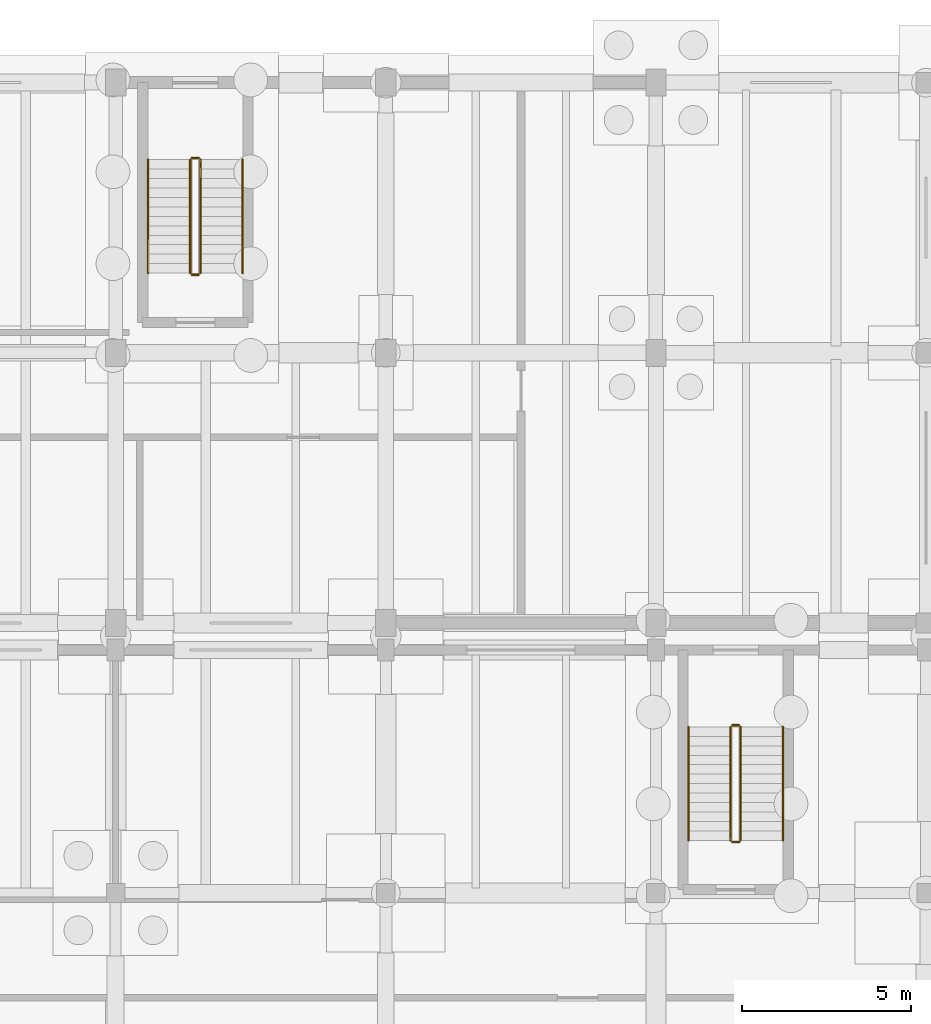
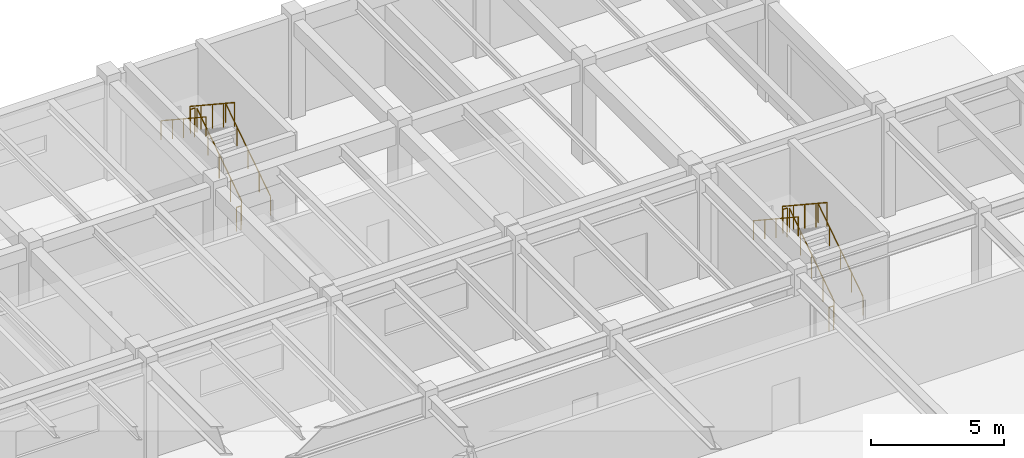
# One storey, part 62 of 64: 12 railings.
"""IFC4 building model written with IfcOpenShell, lengths in metres."""

from ifc_helpers import new_model, si_unit, direction, frame, origin, origin_2d, place, context, subcontext, project, spatial, circle, extrude, material, type_object, element, save


model = new_model("IFC4")

# Units and contexts
model_context = context("Model", 3, precision=1e-05, world=origin(), true_north=direction((0.0, 1.0)))
body_context = subcontext(model_context, "Body", "Model", "MODEL_VIEW")
ifc_project = project(units=[si_unit("LENGTHUNIT", "METRE"), si_unit("AREAUNIT", "SQUARE_METRE"), si_unit("VOLUMEUNIT", "CUBIC_METRE"), si_unit("PLANEANGLEUNIT", "RADIAN"), si_unit("MASSUNIT", "GRAM", prefix="KILO")], contexts=[model_context])

# Site, building, storey
site_placement = place(None, origin())
site = spatial("IfcSite", under=ifc_project, at=site_placement, CompositionType="ELEMENT")
building_placement = place(site_placement, origin())
building = spatial("IfcBuilding", under=site, at=building_placement, Name="Tlaxcora Railside Police Headquarters", CompositionType="ELEMENT")
storey_placement = place(building_placement, origin())
storey = spatial("IfcBuildingStorey", under=building, at=storey_placement, Name="L00", CompositionType="ELEMENT", Elevation=0.0)

# Railings
ifc_material = material(Name="Steel ASTM A992 Grade 50", Category="steel")
railing_type_1 = type_object("IfcRailingType", Name="Stair Well Guard Balustrade GR-02", PredefinedType="BALUSTRADE", material=ifc_material)
railing_1_placement = place(storey_placement, frame((137.31005859375, 46.360107421875, 0.1845703125)))
element("IfcRailing", 1, at=railing_1_placement, inside=storey, type_object=railing_type_1, Name="L00 ST11 stair guard 1", PredefinedType="BALUSTRADE", context=body_context, shape_type="SweptSolid", body=[
    extrude(circle(Radius=0.02392578125, at=origin_2d()), frame((0.0, 0.0, 1.09619140625), z_axis=(0.0, 0.834858096282, 0.550465220583), x_axis=(-1.0, 0.0, 0.0)), (0.0, 0.0, 1.0), 4.0244140625),
    extrude(circle(Radius=0.02099609375, at=origin_2d()), origin(), (0.0, 0.0, 1.0), 1.072021484375),
    extrude(circle(Radius=0.02099609375, at=origin_2d()), frame((0.0, 0.83984375, 0.5537109375)), (0.0, 0.0, 1.0), 1.072021484375),
    extrude(circle(Radius=0.02099609375, at=origin_2d()), frame((0.0, 1.679931640625, 1.107666015625)), (0.0, 0.0, 1.0), 1.072021484375),
    extrude(circle(Radius=0.02099609375, at=origin_2d()), frame((0.0, 2.52001953125, 1.66162109375)), (0.0, 0.0, 1.0), 1.072021484375),
    extrude(circle(Radius=0.02099609375, at=origin_2d()), frame((0.0, 3.35986328125, 2.21533203125)), (0.0, 0.0, 1.0), 1.072021484375),
])
railing_2_placement = place(storey_placement, frame((137.260009765625, 49.77001953125, 2.39990234375)))
element("IfcRailing", 2, at=railing_2_placement, inside=storey, type_object=railing_type_1, Name="L00 ST11 stair guard 2", PredefinedType="BALUSTRADE", context=body_context, shape_type="SweptSolid", body=[
    extrude(circle(Radius=0.02392578125, at=origin_2d()), frame((0.0, 0.0, 1.09619140625), z_axis=(-1.0, 0.0, 0.0), x_axis=(0.0, -1.0, 0.0)), (0.0, 0.0, 1.0), 0.199951171875),
    extrude(circle(Radius=0.02099609375, at=origin_2d()), origin(), (0.0, 0.0, 1.0), 1.072021484375),
    extrude(circle(Radius=0.02099609375, at=origin_2d()), frame((-0.199951171875, 0.0, 0.0)), (0.0, 0.0, 1.0), 1.072021484375),
])
railing_3_placement = place(storey_placement, frame((137.010009765625, 49.719970703125, 2.584716796875)))
element("IfcRailing", 3, at=railing_3_placement, inside=storey, type_object=railing_type_1, Name="L00 ST11 stair guard 3", PredefinedType="BALUSTRADE", context=body_context, shape_type="SweptSolid", body=[
    extrude(circle(Radius=0.02392578125, at=origin_2d()), frame((0.0, 0.0, 1.09619140625), z_axis=(0.0, -0.834858096282, 0.550465220583), x_axis=(1.0, 0.0, 0.0)), (0.0, 0.0, 1.0), 4.0244140625),
    extrude(circle(Radius=0.02099609375, at=origin_2d()), origin(), (0.0, 0.0, 1.0), 1.072021484375),
    extrude(circle(Radius=0.02099609375, at=origin_2d()), frame((0.0, -0.83984375, 0.5537109375)), (0.0, 0.0, 1.0), 1.072021484375),
    extrude(circle(Radius=0.02099609375, at=origin_2d()), frame((0.0, -1.679931640625, 1.107666015625)), (0.0, 0.0, 1.0), 1.072021484375),
    extrude(circle(Radius=0.02099609375, at=origin_2d()), frame((0.0, -2.52001953125, 1.66162109375)), (0.0, 0.0, 1.0), 1.072021484375),
    extrude(circle(Radius=0.02099609375, at=origin_2d()), frame((0.0, -3.35986328125, 2.21533203125)), (0.0, 0.0, 1.0), 1.072021484375),
])
railing_4_placement = place(storey_placement, frame((137.260009765625, 46.31005859375, 0.0)))
element("IfcRailing", 4, at=railing_4_placement, inside=storey, type_object=railing_type_1, Name="L00 ST11 stair guard 4", PredefinedType="BALUSTRADE", context=body_context, shape_type="SweptSolid", body=[
    extrude(circle(Radius=0.02392578125, at=origin_2d()), frame((0.0, 0.0, 1.09619140625), z_axis=(-1.0, 0.0, 0.0), x_axis=(0.0, -1.0, 0.0)), (0.0, 0.0, 1.0), 0.199951171875),
    extrude(circle(Radius=0.02099609375, at=origin_2d()), origin(), (0.0, 0.0, 1.0), 1.072021484375),
    extrude(circle(Radius=0.02099609375, at=origin_2d()), frame((-0.199951171875, 0.0, 0.0)), (0.0, 0.0, 1.0), 1.072021484375),
])
railing_5_placement = place(storey_placement, frame((153.31005859375, 29.56005859375, 0.1845703125)))
element("IfcRailing", 5, at=railing_5_placement, inside=storey, type_object=railing_type_1, Name="L00 ST12 stair guard 1", PredefinedType="BALUSTRADE", context=body_context, shape_type="SweptSolid", body=[
    extrude(circle(Radius=0.02392578125, at=origin_2d()), frame((0.0, 0.0, 1.09619140625), z_axis=(0.0, 0.834858096282, 0.550465220583), x_axis=(-1.0, 0.0, 0.0)), (0.0, 0.0, 1.0), 4.0244140625),
    extrude(circle(Radius=0.02099609375, at=origin_2d()), origin(), (0.0, 0.0, 1.0), 1.072021484375),
    extrude(circle(Radius=0.02099609375, at=origin_2d()), frame((0.0, 0.83984375, 0.5537109375)), (0.0, 0.0, 1.0), 1.072021484375),
    extrude(circle(Radius=0.02099609375, at=origin_2d()), frame((0.0, 1.679931640625, 1.107666015625)), (0.0, 0.0, 1.0), 1.072021484375),
    extrude(circle(Radius=0.02099609375, at=origin_2d()), frame((0.0, 2.52001953125, 1.66162109375)), (0.0, 0.0, 1.0), 1.072021484375),
    extrude(circle(Radius=0.02099609375, at=origin_2d()), frame((0.0, 3.35986328125, 2.21533203125)), (0.0, 0.0, 1.0), 1.072021484375),
])
railing_6_placement = place(storey_placement, frame((153.260009765625, 32.969970703125, 2.39990234375)))
element("IfcRailing", 6, at=railing_6_placement, inside=storey, type_object=railing_type_1, Name="L00 ST12 stair guard 2", PredefinedType="BALUSTRADE", context=body_context, shape_type="SweptSolid", body=[
    extrude(circle(Radius=0.02392578125, at=origin_2d()), frame((0.0, 0.0, 1.09619140625), z_axis=(-1.0, 0.0, 0.0), x_axis=(0.0, -1.0, 0.0)), (0.0, 0.0, 1.0), 0.199951171875),
    extrude(circle(Radius=0.02099609375, at=origin_2d()), origin(), (0.0, 0.0, 1.0), 1.072021484375),
    extrude(circle(Radius=0.02099609375, at=origin_2d()), frame((-0.199951171875, 0.0, 0.0)), (0.0, 0.0, 1.0), 1.072021484375),
])
railing_7_placement = place(storey_placement, frame((153.010009765625, 32.919921875, 2.584716796875)))
element("IfcRailing", 7, at=railing_7_placement, inside=storey, type_object=railing_type_1, Name="L00 ST12 stair guard 3", PredefinedType="BALUSTRADE", context=body_context, shape_type="SweptSolid", body=[
    extrude(circle(Radius=0.02392578125, at=origin_2d()), frame((0.0, 0.0, 1.09619140625), z_axis=(0.0, -0.834858096282, 0.550465220583), x_axis=(1.0, 0.0, 0.0)), (0.0, 0.0, 1.0), 4.0244140625),
    extrude(circle(Radius=0.02099609375, at=origin_2d()), origin(), (0.0, 0.0, 1.0), 1.072021484375),
    extrude(circle(Radius=0.02099609375, at=origin_2d()), frame((0.0, -0.83984375, 0.5537109375)), (0.0, 0.0, 1.0), 1.072021484375),
    extrude(circle(Radius=0.02099609375, at=origin_2d()), frame((0.0, -1.679931640625, 1.107666015625)), (0.0, 0.0, 1.0), 1.072021484375),
    extrude(circle(Radius=0.02099609375, at=origin_2d()), frame((0.0, -2.52001953125, 1.66162109375)), (0.0, 0.0, 1.0), 1.072021484375),
    extrude(circle(Radius=0.02099609375, at=origin_2d()), frame((0.0, -3.35986328125, 2.21533203125)), (0.0, 0.0, 1.0), 1.072021484375),
])
railing_8_placement = place(storey_placement, frame((153.260009765625, 29.510009765625, 0.0)))
element("IfcRailing", 8, at=railing_8_placement, inside=storey, type_object=railing_type_1, Name="L00 ST12 stair guard 4", PredefinedType="BALUSTRADE", context=body_context, shape_type="SweptSolid", body=[
    extrude(circle(Radius=0.02392578125, at=origin_2d()), frame((0.0, 0.0, 1.09619140625), z_axis=(-1.0, 0.0, 0.0), x_axis=(0.0, -1.0, 0.0)), (0.0, 0.0, 1.0), 0.199951171875),
    extrude(circle(Radius=0.02099609375, at=origin_2d()), origin(), (0.0, 0.0, 1.0), 1.072021484375),
    extrude(circle(Radius=0.02099609375, at=origin_2d()), frame((-0.199951171875, 0.0, 0.0)), (0.0, 0.0, 1.0), 1.072021484375),
])
railing_type_2 = type_object("IfcRailingType", Name="Stair and Ramp Handrail HR-01", PredefinedType="HANDRAIL", material=ifc_material)
railing_9_placement = place(storey_placement, frame((138.56005859375, 46.360107421875, 0.1845703125)))
element("IfcRailing", 9, at=railing_9_placement, inside=storey, type_object=railing_type_2, Name="L00 ST11 stair handrail 1", PredefinedType="HANDRAIL", context=body_context, shape_type="SweptSolid", body=[
    extrude(circle(Radius=0.02392578125, at=origin_2d()), frame((0.0, 0.0, 0.8759765625), z_axis=(0.0, 0.834858096282, 0.550465220583), x_axis=(-1.0, 0.0, 0.0)), (0.0, 0.0, 1.0), 4.0244140625),
    extrude(circle(Radius=0.02099609375, at=origin_2d()), origin(), (0.0, 0.0, 1.0), 0.851806640625),
    extrude(circle(Radius=0.02099609375, at=origin_2d()), frame((0.0, 0.83984375, 0.5537109375)), (0.0, 0.0, 1.0), 0.851806640625),
    extrude(circle(Radius=0.02099609375, at=origin_2d()), frame((0.0, 1.679931640625, 1.107666015625)), (0.0, 0.0, 1.0), 0.851806640625),
    extrude(circle(Radius=0.02099609375, at=origin_2d()), frame((0.0, 2.52001953125, 1.66162109375)), (0.0, 0.0, 1.0), 0.851806640625),
    extrude(circle(Radius=0.02099609375, at=origin_2d()), frame((0.0, 3.35986328125, 2.21533203125)), (0.0, 0.0, 1.0), 0.851806640625),
])
railing_10_placement = place(storey_placement, frame((135.760009765625, 49.719970703125, 2.584716796875)))
element("IfcRailing", 10, at=railing_10_placement, inside=storey, type_object=railing_type_2, Name="L00 ST11 stair handrail 2", PredefinedType="HANDRAIL", context=body_context, shape_type="SweptSolid", body=[
    extrude(circle(Radius=0.02392578125, at=origin_2d()), frame((0.0, 0.0, 0.8759765625), z_axis=(0.0, -0.834858096282, 0.550465220583), x_axis=(1.0, 0.0, 0.0)), (0.0, 0.0, 1.0), 4.0244140625),
    extrude(circle(Radius=0.02099609375, at=origin_2d()), origin(), (0.0, 0.0, 1.0), 0.851806640625),
    extrude(circle(Radius=0.02099609375, at=origin_2d()), frame((0.0, -0.83984375, 0.5537109375)), (0.0, 0.0, 1.0), 0.851806640625),
    extrude(circle(Radius=0.02099609375, at=origin_2d()), frame((0.0, -1.679931640625, 1.107666015625)), (0.0, 0.0, 1.0), 0.851806640625),
    extrude(circle(Radius=0.02099609375, at=origin_2d()), frame((0.0, -2.52001953125, 1.66162109375)), (0.0, 0.0, 1.0), 0.851806640625),
    extrude(circle(Radius=0.02099609375, at=origin_2d()), frame((0.0, -3.35986328125, 2.21533203125)), (0.0, 0.0, 1.0), 0.851806640625),
])
railing_11_placement = place(storey_placement, frame((154.56005859375, 29.56005859375, 0.1845703125)))
element("IfcRailing", 11, at=railing_11_placement, inside=storey, type_object=railing_type_2, Name="L00 ST12 stair handrail 1", PredefinedType="HANDRAIL", context=body_context, shape_type="SweptSolid", body=[
    extrude(circle(Radius=0.02392578125, at=origin_2d()), frame((0.0, 0.0, 0.8759765625), z_axis=(0.0, 0.834858096282, 0.550465220583), x_axis=(-1.0, 0.0, 0.0)), (0.0, 0.0, 1.0), 4.0244140625),
    extrude(circle(Radius=0.02099609375, at=origin_2d()), origin(), (0.0, 0.0, 1.0), 0.851806640625),
    extrude(circle(Radius=0.02099609375, at=origin_2d()), frame((0.0, 0.83984375, 0.5537109375)), (0.0, 0.0, 1.0), 0.851806640625),
    extrude(circle(Radius=0.02099609375, at=origin_2d()), frame((0.0, 1.679931640625, 1.107666015625)), (0.0, 0.0, 1.0), 0.851806640625),
    extrude(circle(Radius=0.02099609375, at=origin_2d()), frame((0.0, 2.52001953125, 1.66162109375)), (0.0, 0.0, 1.0), 0.851806640625),
    extrude(circle(Radius=0.02099609375, at=origin_2d()), frame((0.0, 3.35986328125, 2.21533203125)), (0.0, 0.0, 1.0), 0.851806640625),
])
railing_12_placement = place(storey_placement, frame((151.760009765625, 32.919921875, 2.584716796875)))
element("IfcRailing", 12, at=railing_12_placement, inside=storey, type_object=railing_type_2, Name="L00 ST12 stair handrail 2", PredefinedType="HANDRAIL", context=body_context, shape_type="SweptSolid", body=[
    extrude(circle(Radius=0.02392578125, at=origin_2d()), frame((0.0, 0.0, 0.8759765625), z_axis=(0.0, -0.834858096282, 0.550465220583), x_axis=(1.0, 0.0, 0.0)), (0.0, 0.0, 1.0), 4.0244140625),
    extrude(circle(Radius=0.02099609375, at=origin_2d()), origin(), (0.0, 0.0, 1.0), 0.851806640625),
    extrude(circle(Radius=0.02099609375, at=origin_2d()), frame((0.0, -0.83984375, 0.5537109375)), (0.0, 0.0, 1.0), 0.851806640625),
    extrude(circle(Radius=0.02099609375, at=origin_2d()), frame((0.0, -1.679931640625, 1.107666015625)), (0.0, 0.0, 1.0), 0.851806640625),
    extrude(circle(Radius=0.02099609375, at=origin_2d()), frame((0.0, -2.52001953125, 1.66162109375)), (0.0, 0.0, 1.0), 0.851806640625),
    extrude(circle(Radius=0.02099609375, at=origin_2d()), frame((0.0, -3.35986328125, 2.21533203125)), (0.0, 0.0, 1.0), 0.851806640625),
])

save(model, "model.ifc")
